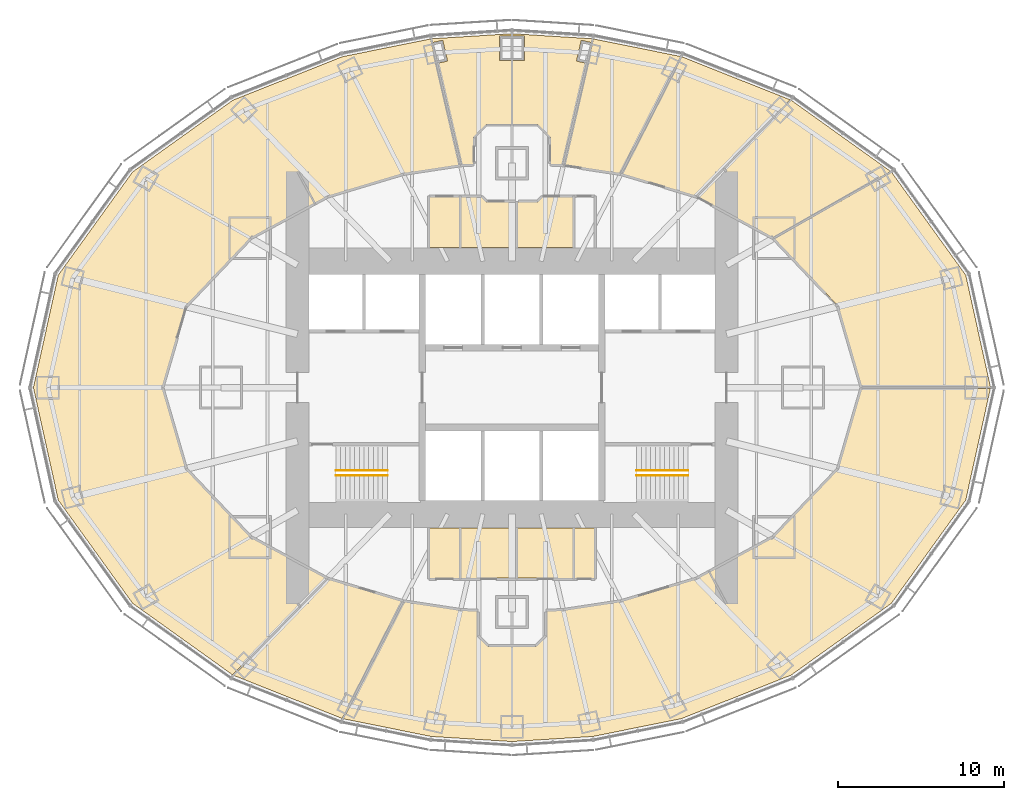
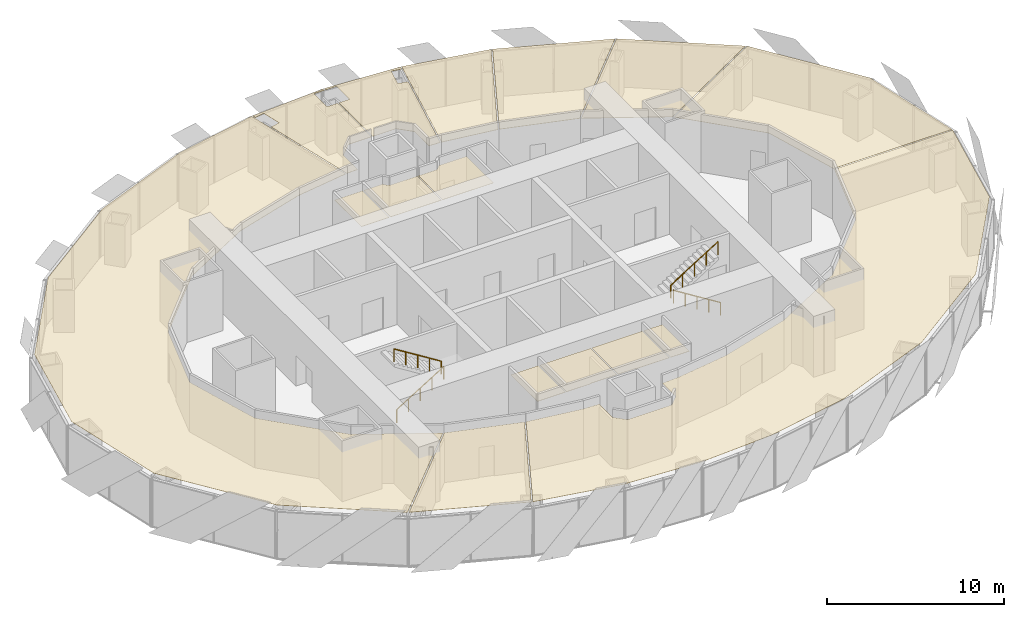
# One storey, part 18 of 18: 16 coverings, 4 railings.
"""IFC4 building model written with IfcOpenShell, lengths in metres."""

from ifc_helpers import new_model, si_unit, direction, frame, origin, origin_2d, place, context, subcontext, project, spatial, polyline, circle, outline, extrude, material, layer, layer_set, type_object, element, save


model = new_model("IFC4")

# Units and contexts
model_context = context("Model", 3, precision=1e-05, world=origin(), true_north=direction((0.0, 1.0)))
body_context = subcontext(model_context, "Body", "Model", "MODEL_VIEW")
ifc_project = project(units=[si_unit("LENGTHUNIT", "METRE"), si_unit("AREAUNIT", "SQUARE_METRE"), si_unit("VOLUMEUNIT", "CUBIC_METRE"), si_unit("PLANEANGLEUNIT", "RADIAN"), si_unit("MASSUNIT", "GRAM", prefix="KILO")], contexts=[model_context])

# Site, building, storey
site_placement = place(None, origin())
site = spatial("IfcSite", under=ifc_project, at=site_placement, CompositionType="ELEMENT")
building_placement = place(site_placement, origin())
building = spatial("IfcBuilding", under=site, at=building_placement, Name="Lantaw Convention Tower", CompositionType="ELEMENT")
storey_placement = place(building_placement, frame((0.0, 0.0, 188.800048828125)))
storey = spatial("IfcBuildingStorey", under=building, at=storey_placement, Name="L44", CompositionType="ELEMENT", Elevation=188.800048828125)

# Railings
ifc_material_1 = material(Name="Stainless steel", Category="steel")
railing_type = type_object("IfcRailingType", Name="Stair handrail", PredefinedType="HANDRAIL", material=ifc_material_1)
railing_1_placement = place(storey_placement, frame((-10.580078125, -5.280029296875, 0.175048828125)))
element("IfcRailing", 1, at=railing_1_placement, inside=storey, type_object=railing_type, Name="Stair handrail S1", PredefinedType="HANDRAIL", context=body_context, shape_type="SweptSolid", body=[
    extrude(circle(Radius=0.02392578125, at=origin_2d()), frame((0.0, 0.0, 0.8759765625), z_axis=(0.848028513186, 0.0, 0.529950602248), x_axis=(0.0, 1.0, 0.0)), (0.0, 0.0, 1.0), 3.632080078125),
    extrude(circle(Radius=0.02099609375, at=origin_2d()), origin(), (0.0, 0.0, 1.0), 0.851806640625),
    extrude(circle(Radius=0.02099609375, at=origin_2d()), frame((0.77001953125, 0.0, 0.481201171875)), (0.0, 0.0, 1.0), 0.851806640625),
    extrude(circle(Radius=0.02099609375, at=origin_2d()), frame((1.5400390625, 0.0, 0.96240234375)), (0.0, 0.0, 1.0), 0.851806640625),
    extrude(circle(Radius=0.02099609375, at=origin_2d()), frame((2.31005859375, 0.0, 1.443603515625)), (0.0, 0.0, 1.0), 0.851806640625),
    extrude(circle(Radius=0.02099609375, at=origin_2d()), frame((3.080078125, 0.0, 1.9248046875)), (0.0, 0.0, 1.0), 0.851806640625),
])
railing_2_placement = place(storey_placement, frame((-7.5, -4.97998046875, 2.27490234375)))
element("IfcRailing", 2, at=railing_2_placement, inside=storey, type_object=railing_type, Name="Stair handrail S1", PredefinedType="HANDRAIL", context=body_context, shape_type="SweptSolid", body=[
    extrude(circle(Radius=0.02392578125, at=origin_2d()), frame((0.0, 0.0, 0.8759765625), z_axis=(-0.847998304005, 0.0, 0.529998940003), x_axis=(0.0, -1.0, 0.0)), (0.0, 0.0, 1.0), 3.632080078125),
    extrude(circle(Radius=0.02099609375, at=origin_2d()), origin(), (0.0, 0.0, 1.0), 0.851806640625),
    extrude(circle(Radius=0.02099609375, at=origin_2d()), frame((-0.77001953125, 0.0, 0.481201171875)), (0.0, 0.0, 1.0), 0.851806640625),
    extrude(circle(Radius=0.02099609375, at=origin_2d()), frame((-1.5400390625, 0.0, 0.96240234375)), (0.0, 0.0, 1.0), 0.851806640625),
    extrude(circle(Radius=0.02099609375, at=origin_2d()), frame((-2.31005859375, 0.0, 1.44384765625)), (0.0, 0.0, 1.0), 0.851806640625),
    extrude(circle(Radius=0.02099609375, at=origin_2d()), frame((-3.080078125, 0.0, 1.925048828125)), (0.0, 0.0, 1.0), 0.851806640625),
])
railing_3_placement = place(storey_placement, frame((10.580078125, -5.280029296875, 0.175048828125)))
element("IfcRailing", 3, at=railing_3_placement, inside=storey, type_object=railing_type, Name="Stair handrail S2", PredefinedType="HANDRAIL", context=body_context, shape_type="SweptSolid", body=[
    extrude(circle(Radius=0.02392578125, at=origin_2d()), frame((0.0, 0.0, 0.8759765625), z_axis=(-0.848028513186, 0.0, 0.529950602248), x_axis=(0.0, -1.0, 0.0)), (0.0, 0.0, 1.0), 3.632080078125),
    extrude(circle(Radius=0.02099609375, at=origin_2d()), origin(), (0.0, 0.0, 1.0), 0.851806640625),
    extrude(circle(Radius=0.02099609375, at=origin_2d()), frame((-0.77001953125, 0.0, 0.481201171875)), (0.0, 0.0, 1.0), 0.851806640625),
    extrude(circle(Radius=0.02099609375, at=origin_2d()), frame((-1.5400390625, 0.0, 0.96240234375)), (0.0, 0.0, 1.0), 0.851806640625),
    extrude(circle(Radius=0.02099609375, at=origin_2d()), frame((-2.31005859375, 0.0, 1.443603515625)), (0.0, 0.0, 1.0), 0.851806640625),
    extrude(circle(Radius=0.02099609375, at=origin_2d()), frame((-3.080078125, 0.0, 1.9248046875)), (0.0, 0.0, 1.0), 0.851806640625),
])
railing_4_placement = place(storey_placement, frame((7.5, -4.97998046875, 2.27490234375)))
element("IfcRailing", 4, at=railing_4_placement, inside=storey, type_object=railing_type, Name="Stair handrail S2", PredefinedType="HANDRAIL", context=body_context, shape_type="SweptSolid", body=[
    extrude(circle(Radius=0.02392578125, at=origin_2d()), frame((0.0, 0.0, 0.8759765625), z_axis=(0.847998304005, 0.0, 0.529998940003), x_axis=(0.0, 1.0, 0.0)), (0.0, 0.0, 1.0), 3.632080078125),
    extrude(circle(Radius=0.02099609375, at=origin_2d()), origin(), (0.0, 0.0, 1.0), 0.851806640625),
    extrude(circle(Radius=0.02099609375, at=origin_2d()), frame((0.77001953125, 0.0, 0.481201171875)), (0.0, 0.0, 1.0), 0.851806640625),
    extrude(circle(Radius=0.02099609375, at=origin_2d()), frame((1.5400390625, 0.0, 0.96240234375)), (0.0, 0.0, 1.0), 0.851806640625),
    extrude(circle(Radius=0.02099609375, at=origin_2d()), frame((2.31005859375, 0.0, 1.44384765625)), (0.0, 0.0, 1.0), 0.851806640625),
    extrude(circle(Radius=0.02099609375, at=origin_2d()), frame((3.080078125, 0.0, 1.925048828125)), (0.0, 0.0, 1.0), 0.851806640625),
])

# Coverings
ifc_material_2 = material(Name="Gypsum board on steel suspension grid", Category="steel")
ifc_layer = layer(ifc_material_2, 0.02001953125)
ifc_layer_set = layer_set([ifc_layer], Name="Suspended ceiling")
covering_type = type_object("IfcCoveringType", Name="Suspended ceiling", PredefinedType="CEILING", material=ifc_layer_set)
covering_1_placement = place(storey_placement, frame((0.0, 0.0, 3.39990234375)))
element("IfcCovering", 5, at=covering_1_placement, inside=storey, type_object=covering_type, Name="Accessible WC ceiling", PredefinedType="CEILING", context=body_context, shape_type="SweptSolid", body=[
    extrude(outline(polyline([(-4.9599609375, 8.43994140625), (-3.139892578125, 8.43994140625), (-3.139892578125, 11.471923828125), (-4.9599609375, 11.471923828125), (-4.9599609375, 8.43994140625)])), origin(), (0.0, 0.0, 1.0), 0.02001953125),
])
covering_2_placement = place(storey_placement, frame((0.0, 0.0, 3.39990234375)))
element("IfcCovering", 6, at=covering_2_placement, inside=storey, type_object=covering_type, Name="Male WC ceiling", PredefinedType="CEILING", context=body_context, shape_type="SweptSolid", body=[
    extrude(outline(polyline([(-3.06005859375, 11.471923828125), (-3.06005859375, 8.43994140625), (0.260009765625, 8.43994140625), (0.260009765625, 11.175048828125), (-1.548828125, 11.175048828125), (-1.845947265625, 11.471923828125), (-3.06005859375, 11.471923828125)])), origin(), (0.0, 0.0, 1.0), 0.02001953125),
])
covering_3_placement = place(storey_placement, frame((0.0, 0.0, 3.39990234375)))
element("IfcCovering", 7, at=covering_3_placement, inside=storey, type_object=covering_type, Name="Female WC ceiling", PredefinedType="CEILING", context=body_context, shape_type="SweptSolid", body=[
    extrude(outline(polyline([(0.340087890625, 11.175048828125), (0.340087890625, 8.43994140625), (3.659912109375, 8.43994140625), (3.659912109375, 11.471923828125), (1.845947265625, 11.471923828125), (1.548828125, 11.175048828125), (0.340087890625, 11.175048828125)])), origin(), (0.0, 0.0, 1.0), 0.02001953125),
])
covering_4_placement = place(storey_placement, frame((0.0, 0.0, 3.39990234375)))
element("IfcCovering", 8, at=covering_4_placement, inside=storey, type_object=covering_type, Name="Accessible WC ceiling", PredefinedType="CEILING", context=body_context, shape_type="SweptSolid", body=[
    extrude(outline(polyline([(-4.9599609375, -11.471923828125), (-3.139892578125, -11.471923828125), (-3.139892578125, -8.43994140625), (-4.9599609375, -8.43994140625), (-4.9599609375, -11.471923828125)])), origin(), (0.0, 0.0, 1.0), 0.02001953125),
])
covering_5_placement = place(storey_placement, frame((0.0, 0.0, 3.39990234375)))
element("IfcCovering", 9, at=covering_5_placement, inside=storey, type_object=covering_type, Name="Male WC ceiling", PredefinedType="CEILING", context=body_context, shape_type="SweptSolid", body=[
    extrude(outline(polyline([(-3.06005859375, -8.43994140625), (-3.06005859375, -11.471923828125), (-1.47802734375, -11.471923828125), (-1.441162109375, -11.43505859375), (0.260009765625, -11.43505859375), (0.260009765625, -8.43994140625), (-3.06005859375, -8.43994140625)])), origin(), (0.0, 0.0, 1.0), 0.02001953125),
])
covering_6_placement = place(storey_placement, frame((0.0, 0.0, 3.39990234375)))
element("IfcCovering", 10, at=covering_6_placement, inside=storey, type_object=covering_type, Name="Female WC ceiling", PredefinedType="CEILING", context=body_context, shape_type="SweptSolid", body=[
    extrude(outline(polyline([(0.340087890625, -8.43994140625), (0.340087890625, -11.43505859375), (1.441162109375, -11.43505859375), (1.47802734375, -11.471923828125), (3.659912109375, -11.471923828125), (3.659912109375, -8.43994140625), (0.340087890625, -8.43994140625)])), origin(), (0.0, 0.0, 1.0), 0.02001953125),
])
covering_7_placement = place(storey_placement, frame((0.0, 0.0, 3.39990234375)))
element("IfcCovering", 11, at=covering_7_placement, inside=storey, type_object=covering_type, Name="Pantry ceiling", PredefinedType="CEILING", context=body_context, shape_type="SweptSolid", body=[
    extrude(outline(polyline([(3.739990234375, -11.471923828125), (4.9599609375, -11.471923828125), (4.9599609375, -8.43994140625), (3.739990234375, -8.43994140625), (3.739990234375, -11.471923828125)])), origin(), (0.0, 0.0, 1.0), 0.02001953125),
])
covering_8_placement = place(storey_placement, frame((0.0, 0.0, 3.39990234375)))
element("IfcCovering", 12, at=covering_8_placement, inside=storey, type_object=covering_type, Name="Boardroom ceiling", PredefinedType="CEILING", context=body_context, shape_type="SweptSolid", body=[
    extrude(outline(polyline([(21.030029296875, 0.0400390625), (28.77099609375, 0.0400390625), (27.286865234375, 6.763671875), (22.832275390625, 12.947265625), (15.760009765625, 8.959228515625), (19.61474609375, 4.902099609375), (21.030029296875, 0.0400390625)])), origin(), (0.0, 0.0, 1.0), 0.02001953125),
])
covering_9_placement = place(storey_placement, frame((0.0, 0.0, 3.39990234375)))
element("IfcCovering", 13, at=covering_9_placement, inside=storey, type_object=covering_type, Name="Meeting room ceiling", PredefinedType="CEILING", context=body_context, shape_type="SweptSolid", body=[
    extrude(outline(polyline([(15.6953125, 9.0146484375), (22.76953125, 13.003662109375), (16.802001953125, 17.274169921875), (11.1416015625, 11.4794921875), (15.6953125, 9.0146484375)])), origin(), (0.0, 0.0, 1.0), 0.02001953125),
])
covering_10_placement = place(storey_placement, frame((0.0, 0.0, 3.39990234375)))
element("IfcCovering", 14, at=covering_10_placement, inside=storey, type_object=covering_type, Name="Meeting room ceiling", PredefinedType="CEILING", context=body_context, shape_type="SweptSolid", body=[
    extrude(outline(polyline([(11.064453125, 11.514892578125), (16.726806640625, 17.311767578125), (10.217041015625, 19.893798828125), (6.594482421875, 12.853759765625), (11.064453125, 11.514892578125)])), origin(), (0.0, 0.0, 1.0), 0.02001953125),
])
covering_11_placement = place(storey_placement, frame((0.0, 0.0, 3.39990234375)))
element("IfcCovering", 15, at=covering_11_placement, inside=storey, type_object=covering_type, Name="Meeting room ceiling", PredefinedType="CEILING", context=body_context, shape_type="SweptSolid", body=[
    extrude(outline(polyline([(6.514404296875, 12.873046875), (10.13818359375, 19.91552734375), (4.899658203125, 20.970947265625), (3.1318359375, 13.38671875), (6.514404296875, 12.873046875)])), origin(), (0.0, 0.0, 1.0), 0.02001953125),
])
covering_12_placement = place(storey_placement, frame((0.0, 0.0, 3.39990234375)))
element("IfcCovering", 16, at=covering_12_placement, inside=storey, type_object=covering_type, Name="Training room ceiling", PredefinedType="CEILING", context=body_context, shape_type="SweptSolid", body=[
    extrude(outline(polyline([(2.324951171875, 15.048828125), (2.324951171875, 13.4296875), (3.051513671875, 13.395263671875), (4.475341796875, 19.50244140625), (3.87744140625, 19.640380859375), (4.16552734375, 20.8876953125), (4.765869140625, 20.7490234375), (4.81982421875, 20.98095703125), (0.0400390625, 21.281982421875), (0.0400390625, 21.139892578125), (0.739990234375, 21.139892578125), (0.739990234375, 19.659912109375), (0.0400390625, 19.659912109375), (0.0400390625, 15.824951171875), (1.548828125, 15.824951171875), (2.324951171875, 15.048828125)])), origin(), (0.0, 0.0, 1.0), 0.02001953125),
])
covering_13_placement = place(storey_placement, frame((0.0, 0.0, 3.39990234375)))
element("IfcCovering", 17, at=covering_13_placement, inside=storey, type_object=covering_type, Name="Pantry ceiling", PredefinedType="CEILING", context=body_context, shape_type="SweptSolid", body=[
    extrude(outline(polyline([(-4.475341796875, 19.50244140625), (-3.051513671875, 13.395263671875), (-2.324951171875, 13.4296875), (-2.324951171875, 15.048828125), (-1.548828125, 15.824951171875), (-0.0400390625, 15.824951171875), (-0.0400390625, 19.659912109375), (-0.739990234375, 19.659912109375), (-0.739990234375, 21.139892578125), (-0.0400390625, 21.139892578125), (-0.0400390625, 21.281982421875), (-4.81982421875, 20.98095703125), (-4.765869140625, 20.7490234375), (-4.16552734375, 20.8876953125), (-3.87744140625, 19.640380859375), (-4.475341796875, 19.50244140625)])), origin(), (0.0, 0.0, 1.0), 0.02001953125),
])
covering_14_placement = place(storey_placement, frame((0.0, 0.0, 3.39990234375)))
element("IfcCovering", 18, at=covering_14_placement, inside=storey, type_object=covering_type, Name="Open office ceiling", PredefinedType="CEILING", context=body_context, shape_type="SweptSolid", body=[
    extrude(outline(polyline([(-3.1318359375, 13.38671875), (-4.899658203125, 20.970947265625), (-10.1865234375, 19.90576171875), (-16.778076171875, 17.29150390625), (-22.815185546875, 12.970947265625), (-27.286865234375, 6.763671875), (-28.77978515625, 0.0), (-27.286865234375, -6.763671875), (-22.815185546875, -12.970947265625), (-16.802001953125, -17.274169921875), (-11.1416015625, -11.4794921875), (-15.72021484375, -9.0009765625), (-19.61474609375, -4.902099609375), (-21.041748046875, 0.0), (-19.61474609375, 4.902099609375), (-15.72021484375, 9.0009765625), (-11.091552734375, 11.506591796875), (-6.545654296875, 12.868408203125), (-3.1318359375, 13.38671875)])), origin(), (0.0, 0.0, 1.0), 0.02001953125),
])
covering_15_placement = place(storey_placement, frame((0.0, 0.0, 3.39990234375)))
element("IfcCovering", 19, at=covering_15_placement, inside=storey, type_object=covering_type, Name="Quiet room ceiling", PredefinedType="CEILING", context=body_context, shape_type="SweptSolid", body=[
    extrude(outline(polyline([(-11.064453125, -11.514892578125), (-16.726806640625, -17.311767578125), (-10.217041015625, -19.893798828125), (-6.594482421875, -12.853759765625), (-11.064453125, -11.514892578125)])), origin(), (0.0, 0.0, 1.0), 0.02001953125),
])
covering_16_placement = place(storey_placement, frame((0.0, 0.0, 3.39990234375)))
element("IfcCovering", 20, at=covering_16_placement, inside=storey, type_object=covering_type, Name="Open office ceiling", PredefinedType="CEILING", context=body_context, shape_type="SweptSolid", body=[
    extrude(outline(polyline([(-3.0869140625, -13.3935546875), (-6.514404296875, -12.873046875), (-10.13818359375, -19.91552734375), (-4.864501953125, -20.978271484375), (0.0, -21.28466796875), (4.864501953125, -20.978271484375), (10.1865234375, -19.90576171875), (16.778076171875, -17.29150390625), (22.815185546875, -12.970947265625), (27.286865234375, -6.763671875), (28.77099609375, -0.0400390625), (21.030029296875, -0.0400390625), (19.61474609375, -4.902099609375), (15.72021484375, -9.0009765625), (11.091552734375, -11.506591796875), (6.545654296875, -12.868408203125), (3.0869140625, -13.3935546875), (2.06494140625, -13.442138671875), (2.06494140625, -14.941162109375), (1.441162109375, -15.56494140625), (-1.441162109375, -15.56494140625), (-2.06494140625, -14.941162109375), (-2.06494140625, -13.442138671875), (-3.0869140625, -13.3935546875)])), origin(), (0.0, 0.0, 1.0), 0.02001953125),
])

save(model, "model.ifc")
